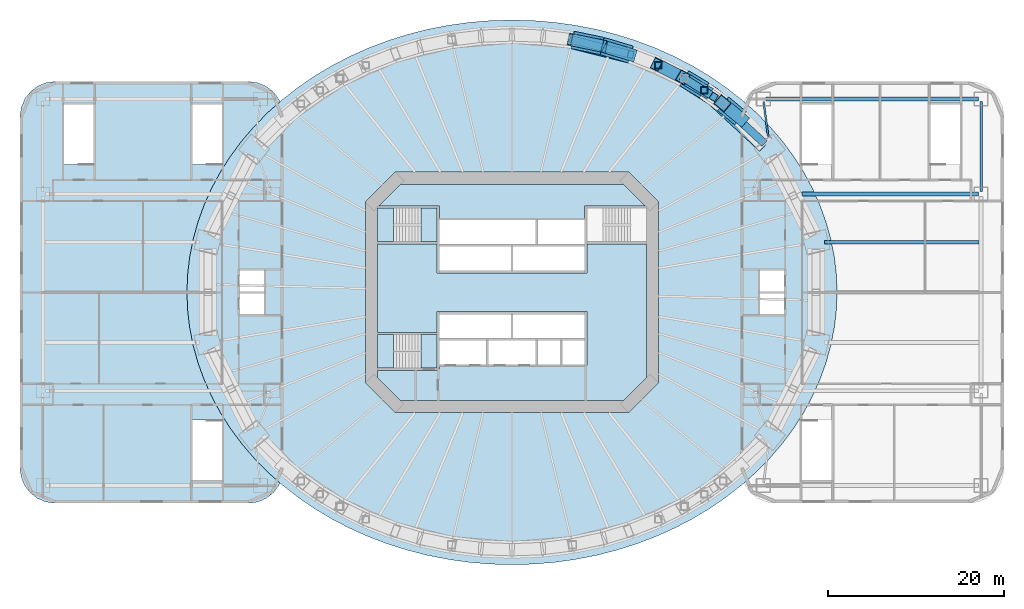
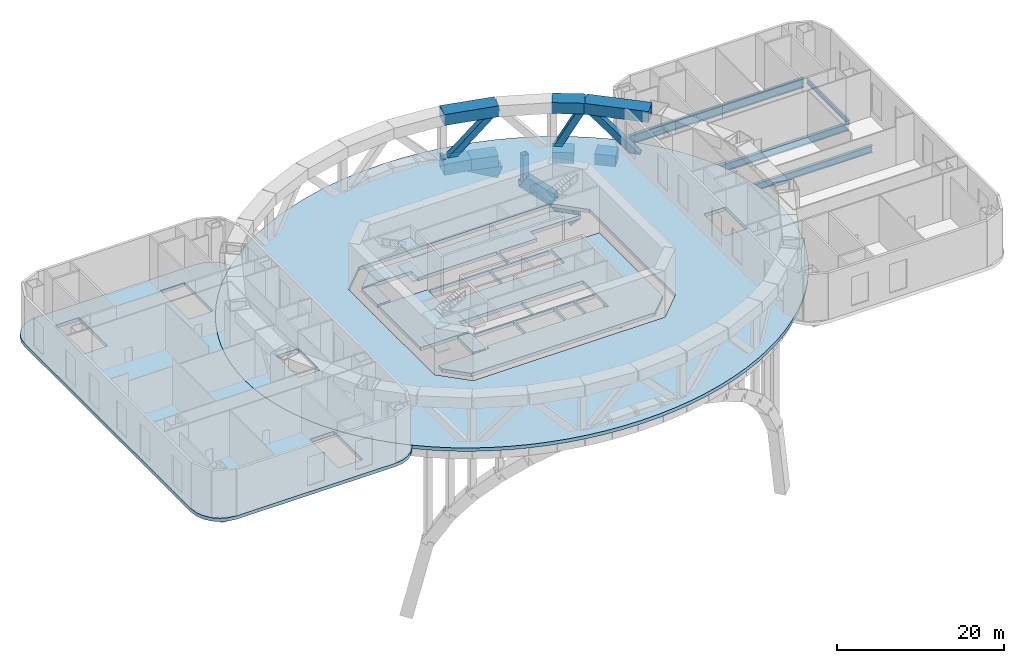
# One storey, part 5 of 13: 12 beams, 12 slabs, 10 members, 2 elements without a shape of their own.
"""IFC4 building model written with IfcOpenShell, lengths in metres."""

from ifc_helpers import new_model, si_unit, direction, frame, origin, origin_2d, place, context, subcontext, project, spatial, polyline, hollow_rectangle, i_section, outline, extrude, material, layer, layer_set, material_profile, profile_set, type_object, element, aggregate, save


model = new_model("IFC4")

# Units and contexts
model_context = context("Model", 3, precision=1e-05, world=origin(), true_north=direction((0.0, 1.0)))
body_context = subcontext(model_context, "Body", "Model", "MODEL_VIEW")
ifc_project = project(units=[si_unit("LENGTHUNIT", "METRE"), si_unit("AREAUNIT", "SQUARE_METRE"), si_unit("VOLUMEUNIT", "CUBIC_METRE"), si_unit("PLANEANGLEUNIT", "RADIAN"), si_unit("MASSUNIT", "GRAM", prefix="KILO")], contexts=[model_context])

# Site, building, storey
site_placement = place(None, origin())
site = spatial("IfcSite", under=ifc_project, at=site_placement, CompositionType="ELEMENT")
building_placement = place(site_placement, origin())
building = spatial("IfcBuilding", under=site, at=building_placement, Name="Marenthal Gate Tower", CompositionType="ELEMENT")
storey_placement = place(building_placement, frame((0.0, 0.0, 26.0)))
storey = spatial("IfcBuildingStorey", under=building, at=storey_placement, Name="L03", CompositionType="ELEMENT", Elevation=26.0)

# Beams
ifc_material_1 = material(Name="Steel S460", Category="steel")
ifc_material_profile_1 = material_profile(ifc_material_1, hollow_rectangle(XDim=2.0, YDim=1.60009765625, WallThickness=0.080078125, at=origin_2d()), Name="BOX 1600X2000X80")
ifc_profile_set_1 = profile_set([ifc_material_profile_1], Name="Steel S460")
beam_type_1 = type_object("IfcBeamType", Name="BOX 1600X2000X80 transfer chord", PredefinedType="BEAM", material=ifc_profile_set_1)
beam_1_placement = place(storey_placement, frame((26.0, 19.818115234375, -1.300048828125), z_axis=(-0.767717124374, 0.640788902013, 0.0), x_axis=(-0.640788902013, -0.767717124374, 0.0)))
element("IfcBeam", 1, at=beam_1_placement, inside=storey, type_object=beam_type_1, Name="TR-L03-02", PredefinedType="BEAM", context=body_context, shape_type="SweptSolid", body=[
    extrude(hollow_rectangle(XDim=2.0, YDim=1.60009765625, WallThickness=0.080078125, at=origin_2d()), origin(), (0.0, 0.0, 1.0), 2.581298828125),
])
beam_2_placement = place(storey_placement, frame((21.88427734375, 22.989990234375, -1.300048828125), z_axis=(-0.856085941815, 0.516833493716, 0.0), x_axis=(-0.516833493716, -0.856085941815, 0.0)))
element("IfcBeam", 2, at=beam_2_placement, inside=storey, type_object=beam_type_1, Name="TR-L03-04", PredefinedType="BEAM", context=body_context, shape_type="SweptSolid", body=[
    extrude(hollow_rectangle(XDim=2.0, YDim=1.60009765625, WallThickness=0.080078125, at=origin_2d()), origin(), (0.0, 0.0, 1.0), 2.65478515625),
])
beam_3_placement = place(storey_placement, frame((13.5087890625, 27.069580078125, -1.300048828125), z_axis=(-0.958612601044, 0.284713682705, 0.0), x_axis=(-0.284713682705, -0.958612601044, 0.0)))
element("IfcBeam", 3, at=beam_3_placement, inside=storey, type_object=beam_type_1, Name="TR-L03-07", PredefinedType="BEAM", context=body_context, shape_type="SweptSolid", body=[
    extrude(hollow_rectangle(XDim=2.0, YDim=1.60009765625, WallThickness=0.080078125, at=origin_2d()), origin(), (0.0, 0.0, 1.0), 3.402587890625),
])
beam_4_placement = place(storey_placement, frame((10.2470703125, 28.038330078125, -1.300048828125), z_axis=(-0.979058462752, 0.203579288026, 0.0), x_axis=(-0.203579288026, -0.979058462752, 0.0)))
element("IfcBeam", 4, at=beam_4_placement, inside=storey, type_object=beam_type_1, Name="TR-L03-08", PredefinedType="BEAM", context=body_context, shape_type="SweptSolid", body=[
    extrude(hollow_rectangle(XDim=2.0, YDim=1.60009765625, WallThickness=0.080078125, at=origin_2d()), origin(), (0.0, 0.0, 1.0), 3.43212890625),
])
beam_5_placement = place(storey_placement, frame((28.866943359375, 16.789306640625, 6.02001953125), z_axis=(-0.73383134461, 0.679331699295, 0.0), x_axis=(-0.679331699295, -0.73383134461, 0.0)))
element("IfcBeam", 5, at=beam_5_placement, inside=storey, type_object=beam_type_1, Name="TR-L03-21", PredefinedType="BEAM", context=body_context, shape_type="SweptSolid", body=[
    extrude(hollow_rectangle(XDim=2.0, YDim=1.60009765625, WallThickness=0.080078125, at=origin_2d()), origin(), (0.0, 0.0, 1.0), 8.03662109375),
])
beam_6_placement = place(storey_placement, frame((22.969482421875, 22.248779296875, 6.02001953125), z_axis=(-0.846341746449, 0.532640261543, 0.0), x_axis=(-0.532640261543, -0.846341746449, 0.0)))
element("IfcBeam", 6, at=beam_6_placement, inside=storey, type_object=beam_type_1, Name="TR-L03-22", PredefinedType="BEAM", context=body_context, shape_type="SweptSolid", body=[
    extrude(hollow_rectangle(XDim=2.0, YDim=1.60009765625, WallThickness=0.080078125, at=origin_2d()), origin(), (0.0, 0.0, 1.0), 3.967529296875),
])
beam_7_placement = place(storey_placement, frame((13.5087890625, 27.069580078125, 6.02001953125), z_axis=(-0.969728903085, 0.244184058696, 0.0), x_axis=(-0.244184058696, -0.969728903085, 0.0)))
element("IfcBeam", 7, at=beam_7_placement, inside=storey, type_object=beam_type_1, Name="TR-L03-24", PredefinedType="BEAM", context=body_context, shape_type="SweptSolid", body=[
    extrude(hollow_rectangle(XDim=2.0, YDim=1.60009765625, WallThickness=0.080078125, at=origin_2d()), origin(), (0.0, 0.0, 1.0), 6.828857421875),
])
ifc_material_2 = material(Name="Steel S355", Category="steel")
ifc_material_profile_2 = material_profile(ifc_material_2, i_section(OverallWidth=0.419921875, OverallDepth=1.0, WebThickness=0.02001953125, FlangeThickness=0.035888671875, at=origin_2d()), Name="PLATE GIRDER 1000X420X20X36")
ifc_profile_set_2 = profile_set([ifc_material_profile_2], Name="Steel S355")
beam_type_2 = type_object("IfcBeamType", Name="PLATE GIRDER 1000X420X20X36 beam", PredefinedType="BEAM", material=ifc_profile_set_2)
beam_8_placement = place(storey_placement, frame((35.561279296875, 5.716064453125, -1.0), z_axis=(1.0, 0.0, 0.0), x_axis=(0.0, 1.0, 0.0)))
element("IfcBeam", 8, at=beam_8_placement, inside=storey, type_object=beam_type_2, Name="BM-L03-109", PredefinedType="BEAM", context=body_context, shape_type="SweptSolid", body=[
    extrude(i_section(OverallWidth=0.419921875, OverallDepth=1.0, WebThickness=0.02001953125, FlangeThickness=0.035888671875, at=origin_2d()), origin(), (0.0, 0.0, 1.0), 17.61376953125),
])
ifc_material_3 = material(Name="Steel S355", Category="steel")
ifc_material_profile_3 = material_profile(ifc_material_3, i_section(OverallWidth=0.429931640625, OverallDepth=1.10009765625, WebThickness=0.02001953125, FlangeThickness=0.0400390625, at=origin_2d()), Name="PLATE GIRDER 1100X430X20X40")
ifc_profile_set_3 = profile_set([ifc_material_profile_3], Name="Steel S355")
beam_type_3 = type_object("IfcBeamType", Name="PLATE GIRDER 1100X430X20X40 beam", PredefinedType="BEAM", material=ifc_profile_set_3)
beam_9_placement = place(storey_placement, frame((33.002685546875, 11.199951171875, -1.050048828125), z_axis=(1.0, 0.0, 0.0), x_axis=(0.0, 1.0, 0.0)))
element("IfcBeam", 9, at=beam_9_placement, inside=storey, type_object=beam_type_3, Name="BM-L03-111", PredefinedType="BEAM", context=body_context, shape_type="SweptSolid", body=[
    extrude(i_section(OverallWidth=0.429931640625, OverallDepth=1.10009765625, WebThickness=0.02001953125, FlangeThickness=0.0400390625, at=origin_2d()), origin(), (0.0, 0.0, 1.0), 20.097412109375),
])
ifc_material_4 = material(Name="Steel S355", Category="steel")
ifc_material_profile_4 = material_profile(ifc_material_4, i_section(OverallWidth=0.4599609375, OverallDepth=1.300048828125, WebThickness=0.02490234375, FlangeThickness=0.044921875, at=origin_2d()), Name="PLATE GIRDER 1300X460X25X45")
ifc_profile_set_4 = profile_set([ifc_material_profile_4], Name="Steel S355")
beam_type_4 = type_object("IfcBeamType", Name="PLATE GIRDER 1300X460X25X45 beam", PredefinedType="BEAM", material=ifc_profile_set_4)
beam_10_placement = place(storey_placement, frame((28.89990234375, 22.0, -1.14990234375), z_axis=(1.0, 0.0, 0.0), x_axis=(0.0, 1.0, 0.0)))
element("IfcBeam", 10, at=beam_10_placement, inside=storey, type_object=beam_type_4, Name="BM-L03-112", PredefinedType="BEAM", context=body_context, shape_type="SweptSolid", body=[
    extrude(i_section(OverallWidth=0.4599609375, OverallDepth=1.300048828125, WebThickness=0.02490234375, FlangeThickness=0.044921875, at=origin_2d()), origin(), (0.0, 0.0, 1.0), 24.2001953125),
])
ifc_material_5 = material(Name="Steel S355", Category="steel")
ifc_material_profile_5 = material_profile(ifc_material_5, i_section(OverallWidth=0.202880859375, OverallDepth=0.302001953125, WebThickness=0.007568359375, FlangeThickness=0.01318359375, FilletRadius=0.0126953125, at=origin_2d()), Name="W310X60")
ifc_profile_set_5 = profile_set([ifc_material_profile_5], Name="Steel S355")
beam_type_5 = type_object("IfcBeamType", Name="W310X60 beam", PredefinedType="BEAM", material=ifc_profile_set_5)
beam_11_placement = place(storey_placement, frame((29.159423828125, 17.73681640625, -0.65087890625), z_axis=(-0.130112868393, 0.991499188844, 0.0), x_axis=(-0.991499188844, -0.130112868393, 0.0)))
element("IfcBeam", 11, at=beam_11_placement, inside=storey, type_object=beam_type_5, Name="BM-L03-114", PredefinedType="BEAM", context=body_context, shape_type="SweptSolid", body=[
    extrude(i_section(OverallWidth=0.202880859375, OverallDepth=0.302001953125, WebThickness=0.007568359375, FlangeThickness=0.01318359375, FilletRadius=0.0126953125, at=origin_2d()), origin(), (0.0, 0.0, 1.0), 3.992919921875),
])
ifc_material_6 = material(Name="Steel S355", Category="steel")
ifc_material_profile_6 = material_profile(ifc_material_6, i_section(OverallWidth=0.25390625, OverallDepth=0.68310546875, WebThickness=0.012451171875, FlangeThickness=0.018798828125, FilletRadius=0.01513671875, at=origin_2d()), Name="W690X140")
ifc_profile_set_6 = profile_set([ifc_material_profile_6], Name="Steel S355")
beam_type_6 = type_object("IfcBeamType", Name="W690X140 beam", PredefinedType="BEAM", material=ifc_profile_set_6)
beam_12_placement = place(storey_placement, frame((53.39990234375, 11.5, -0.841552734375), z_axis=(0.0, 1.0, 0.0), x_axis=(-1.0, 0.0, 0.0)))
element("IfcBeam", 12, at=beam_12_placement, inside=storey, type_object=beam_type_6, Name="BM-L03-103", PredefinedType="BEAM", context=body_context, shape_type="SweptSolid", body=[
    extrude(i_section(OverallWidth=0.25390625, OverallDepth=0.68310546875, WebThickness=0.012451171875, FlangeThickness=0.018798828125, FilletRadius=0.01513671875, at=origin_2d()), origin(), (0.0, 0.0, 1.0), 10.199951171875),
])

# Members
ifc_material_7 = material(Name="Steel S355", Category="steel")
ifc_material_profile_7 = material_profile(ifc_material_7, hollow_rectangle(XDim=1.39990234375, YDim=1.60009765625, WallThickness=0.080078125, at=origin_2d()), Name="BOX 1600X1400X80")
ifc_profile_set_7 = profile_set([ifc_material_profile_7], Name="Steel S355")
member_type_1 = type_object("IfcMemberType", Name="arch rib BOX 1600X1400X80", PredefinedType="MEMBER", material=ifc_profile_set_7)
member_1_placement = place(storey_placement, frame((26.0, 19.818115234375, -26.0), z_axis=(-0.173504810862, 0.144823403352, 0.974126409892), x_axis=(-0.640800619675, -0.767707343865, 0.0)))
element("IfcMember", 13, at=member_1_placement, inside=storey, type_object=member_type_1, Name="AR-N-L03-31", PredefinedType="MEMBER", context=body_context, shape_type="SweptSolid", body=[
    extrude(hollow_rectangle(XDim=1.39990234375, YDim=1.60009765625, WallThickness=0.080078125, at=origin_2d()), origin(), (0.0, 0.0, 1.0), 11.72119140625),
])
member_2_placement = place(storey_placement, frame((22.056396484375, 22.885986328125, -10.89111328125), z_axis=(-0.573779649297, 0.346441075684, 0.742129028627), x_axis=(-0.516877933395, -0.856059111259, 0.0)))
element("IfcMember", 14, at=member_2_placement, inside=storey, type_object=member_type_1, Name="AR-N-L03-33", PredefinedType="MEMBER", context=body_context, shape_type="SweptSolid", body=[
    extrude(hollow_rectangle(XDim=1.39990234375, YDim=1.60009765625, WallThickness=0.080078125, at=origin_2d()), origin(), (0.0, 0.0, 1.0), 4.560791015625),
])
member_3_placement = place(storey_placement, frame((19.821044921875, 24.2578125, -7.9169921875), z_axis=(-0.697924026477, 0.347253139776, 0.626352384989), x_axis=(-0.445459010991, -0.895302334146, 0.0)))
element("IfcMember", 15, at=member_3_placement, inside=storey, type_object=member_type_1, Name="AR-N-L03-34", PredefinedType="MEMBER", context=body_context, shape_type="SweptSolid", body=[
    extrude(hollow_rectangle(XDim=1.39990234375, YDim=1.60009765625, WallThickness=0.080078125, at=origin_2d()), origin(), (0.0, 0.0, 1.0), 4.857421875),
])
member_4_placement = place(storey_placement, frame((13.7744140625, 26.99072265625, -3.225341796875), z_axis=(-0.885621115862, 0.26300159803, 0.382760236404), x_axis=(-0.284680682344, -0.958622401731, 0.0)))
element("IfcMember", 16, at=member_4_placement, inside=storey, type_object=member_type_1, Name="AR-N-L03-36", PredefinedType="MEMBER", context=body_context, shape_type="SweptSolid", body=[
    extrude(hollow_rectangle(XDim=1.39990234375, YDim=1.60009765625, WallThickness=0.080078125, at=origin_2d()), origin(), (0.0, 0.0, 1.0), 4.283203125),
])
member_5_placement = place(storey_placement, frame((10.52978515625, 27.9794921875, -1.781494140625), z_axis=(-0.942929594761, 0.196079632167, 0.269140404201), x_axis=(-0.203591982603, -0.979055823036, 0.0)))
element("IfcMember", 17, at=member_5_placement, inside=storey, type_object=member_type_1, Name="AR-N-L03-37", PredefinedType="MEMBER", context=body_context, shape_type="SweptSolid", body=[
    extrude(hollow_rectangle(XDim=1.39990234375, YDim=1.60009765625, WallThickness=0.080078125, at=origin_2d()), origin(), (0.0, 0.0, 1.0), 4.16357421875),
])
ifc_material_8 = material(Name="Steel S355", Category="steel")
ifc_material_profile_8 = material_profile(ifc_material_8, hollow_rectangle(XDim=0.800048828125, YDim=0.800048828125, WallThickness=0.044921875, at=origin_2d()), Name="BOX 800X800X45")
ifc_profile_set_8 = profile_set([ifc_material_profile_8], Name="Steel S355")
member_type_2 = type_object("IfcMemberType", Name="arch strut BOX 800X800X45", PredefinedType="POST", material=ifc_profile_set_8)
member_6_placement = place(storey_placement, frame((21.88427734375, 22.989990234375, -10.818359375), z_axis=(0.0, 0.0, 1.0), x_axis=(1.0, 0.0, 0.0)))
element("IfcMember", 18, at=member_6_placement, inside=storey, type_object=member_type_2, Name="AS-N-L03-50", PredefinedType="POST", context=body_context, shape_type="SweptSolid", body=[
    extrude(hollow_rectangle(XDim=0.800048828125, YDim=0.800048828125, WallThickness=0.044921875, at=origin_2d()), origin(), (0.0, 0.0, 1.0), 9.66845703125),
])
member_7_placement = place(storey_placement, frame((16.640380859375, 25.84033203125, -5.21240234375), z_axis=(0.0, 0.0, 1.0), x_axis=(1.0, 0.0, 0.0)))
element("IfcMember", 19, at=member_7_placement, inside=storey, type_object=member_type_2, Name="AS-N-L03-53", PredefinedType="POST", context=body_context, shape_type="SweptSolid", body=[
    extrude(hollow_rectangle(XDim=0.800048828125, YDim=0.800048828125, WallThickness=0.044921875, at=origin_2d()), origin(), (0.0, 0.0, 1.0), 4.0625),
])
ifc_material_9 = material(Name="Steel S355", Category="steel")
ifc_material_profile_9 = material_profile(ifc_material_9, hollow_rectangle(XDim=0.89990234375, YDim=0.89990234375, WallThickness=0.050048828125, at=origin_2d()), Name="BOX 900X900X50")
ifc_profile_set_9 = profile_set([ifc_material_profile_9], Name="Steel S355")
member_type_3 = type_object("IfcMemberType", Name="transfer truss diagonal BOX 900X900X50", PredefinedType="BRACE", material=ifc_profile_set_9)
member_8_placement = place(storey_placement, frame((28.523193359375, 17.152587890625, -1.300048828125), z_axis=(-0.528569539809, 0.485025521979, 0.696681049415), x_axis=(-0.676105882834, -0.736804475554, 0.0)))
element("IfcMember", 20, at=member_8_placement, inside=storey, type_object=member_type_3, Name="TR-L03-61", PredefinedType="BRACE", context=body_context, shape_type="SweptSolid", body=[
    extrude(hollow_rectangle(XDim=0.89990234375, YDim=0.89990234375, WallThickness=0.050048828125, at=origin_2d()), origin(), (0.0, 0.0, 1.0), 10.507080078125),
])
member_9_placement = place(storey_placement, frame((22.969482421875, 22.248779296875, 6.02001953125), z_axis=(-0.403296438229, 0.253812270562, -0.879165123412), x_axis=(-0.532640261543, -0.846341746449, 0.0)))
element("IfcMember", 21, at=member_9_placement, inside=storey, type_object=member_type_3, Name="TR-L03-62", PredefinedType="BRACE", context=body_context, shape_type="SweptSolid", body=[
    extrude(hollow_rectangle(XDim=0.89990234375, YDim=0.89990234375, WallThickness=0.050048828125, at=origin_2d()), origin(), (0.0, 0.0, 1.0), 8.326171875),
])
member_10_placement = place(storey_placement, frame((13.5087890625, 27.069580078125, 6.02001953125), z_axis=(-0.661493970766, 0.166568493597, -0.73121861545), x_axis=(-0.244184058696, -0.969728903085, 0.0)))
element("IfcMember", 22, at=member_10_placement, inside=storey, type_object=member_type_3, Name="TR-L03-64", PredefinedType="BRACE", context=body_context, shape_type="SweptSolid", body=[
    extrude(hollow_rectangle(XDim=0.89990234375, YDim=0.89990234375, WallThickness=0.050048828125, at=origin_2d()), origin(), (0.0, 0.0, 1.0), 10.0107421875),
])

# Slabs
ifc_material_10 = material(Name="Concrete 50 MPa", Category="concrete")
ifc_layer_1 = layer(ifc_material_10, 0.5)
ifc_layer_set_1 = layer_set([ifc_layer_1], Name="Core floor slab 500")
slab_type_1 = type_object("IfcSlabType", Name="Core floor slab 500", PredefinedType="FLOOR", material=ifc_layer_set_1)
slab_1_placement = place(storey_placement, frame((0.0, 0.0, -0.5)))
element("IfcSlab", 23, at=slab_1_placement, inside=storey, type_object=slab_type_1, Name="Core floor L03", PredefinedType="FLOOR", context=body_context, shape_type="SweptSolid", body=[
    extrude(outline(polyline([(15.300048828125, -9.710205078125), (12.710205078125, -12.300048828125), (-12.710205078125, -12.300048828125), (-15.300048828125, -9.710205078125), (-15.300048828125, -8.875), (-8.550048828125, -8.875), (-8.550048828125, -8.75), (-8.25, -8.75), (-8.25, -8.239990234375), (-5.60009765625, -8.239990234375), (-2.909912109375, -8.239990234375), (-2.909912109375, -5.4599609375), (-5.60009765625, -5.4599609375), (-8.25, -5.4599609375), (-8.25, -5.239990234375), (-5.60009765625, -5.239990234375), (-2.800048828125, -5.239990234375), (-0.110107421875, -5.239990234375), (-0.110107421875, -2.5), (0.110107421875, -2.5), (0.110107421875, -5.239990234375), (2.800048828125, -5.239990234375), (5.60009765625, -5.239990234375), (8.25, -5.239990234375), (8.25, -5.4599609375), (5.7099609375, -5.4599609375), (5.7099609375, -8.239990234375), (8.25, -8.239990234375), (8.25, -8.35009765625), (8.550048828125, -8.35009765625), (8.550048828125, -2.199951171875), (8.25, -2.199951171875), (-8.25, -2.199951171875), (-8.550048828125, -2.199951171875), (-8.550048828125, -4.574951171875), (-15.300048828125, -4.574951171875), (-15.300048828125, 5.52490234375), (-8.550048828125, 5.52490234375), (-8.550048828125, 2.199951171875), (-8.25, 2.199951171875), (8.25, 2.199951171875), (8.550048828125, 2.199951171875), (8.550048828125, 5.52490234375), (15.300048828125, 5.52490234375), (15.300048828125, -9.710205078125)]), holes=[polyline([(2.909912109375, -8.239990234375), (5.489990234375, -8.239990234375), (5.489990234375, -5.4599609375), (2.909912109375, -5.4599609375), (2.909912109375, -8.239990234375)]), polyline([(-2.68994140625, -5.4599609375), (-2.68994140625, -8.239990234375), (0.0, -8.239990234375), (2.68994140625, -8.239990234375), (2.68994140625, -5.4599609375), (0.0, -5.4599609375), (-2.68994140625, -5.4599609375)])]), origin(), (0.0, 0.0, 1.0), 0.5),
])
slab_2_placement = place(storey_placement, frame((0.0, 0.0, -0.5)))
element("IfcSlab", 24, at=slab_2_placement, inside=storey, type_object=slab_type_1, Name="Core floor L03", PredefinedType="FLOOR", context=body_context, shape_type="SweptSolid", body=[
    extrude(outline(polyline([(12.710205078125, 12.300048828125), (15.18505859375, 9.824951171875), (8.550048828125, 9.824951171875), (8.25, 9.824951171875), (8.25, 8.35009765625), (8.25, 8.239990234375), (5.60009765625, 8.239990234375), (2.909912109375, 8.239990234375), (2.909912109375, 5.4599609375), (5.60009765625, 5.4599609375), (8.25, 5.4599609375), (8.25, 5.239990234375), (5.60009765625, 5.239990234375), (2.800048828125, 5.239990234375), (0.110107421875, 5.239990234375), (0.110107421875, 2.5), (-0.110107421875, 2.5), (-0.110107421875, 5.239990234375), (-2.800048828125, 5.239990234375), (-5.60009765625, 5.239990234375), (-8.25, 5.239990234375), (-8.25, 5.4599609375), (-5.60009765625, 5.4599609375), (-2.800048828125, 5.4599609375), (0.0, 5.4599609375), (2.68994140625, 5.4599609375), (2.68994140625, 8.239990234375), (0.0, 8.239990234375), (-2.800048828125, 8.239990234375), (-5.60009765625, 8.239990234375), (-8.25, 8.239990234375), (-8.25, 8.35009765625), (-8.25, 9.824951171875), (-8.550048828125, 9.824951171875), (-15.18505859375, 9.824951171875), (-12.710205078125, 12.300048828125), (12.710205078125, 12.300048828125)])), origin(), (0.0, 0.0, 1.0), 0.5),
])
slab_3_placement = place(storey_placement, frame((0.0, 0.0, -0.5)))
element("IfcSlab", 25, at=slab_3_placement, inside=storey, type_object=slab_type_1, Name="Core floor L03", PredefinedType="FLOOR", context=body_context, shape_type="SweptSolid", body=[
    extrude(outline(polyline([(-15.300048828125, 9.574951171875), (-13.5, 9.574951171875), (-13.5, 5.77490234375), (-15.300048828125, 5.77490234375), (-15.300048828125, 9.574951171875)])), origin(), (0.0, 0.0, 1.0), 0.5),
])
slab_4_placement = place(storey_placement, frame((0.0, 0.0, -0.5)))
element("IfcSlab", 26, at=slab_4_placement, inside=storey, type_object=slab_type_1, Name="Core floor L03", PredefinedType="FLOOR", context=body_context, shape_type="SweptSolid", body=[
    extrude(outline(polyline([(-10.35009765625, -8.625), (-10.35009765625, -4.824951171875), (-8.550048828125, -4.824951171875), (-8.550048828125, -8.625), (-10.35009765625, -8.625)])), origin(), (0.0, 0.0, 1.0), 0.5),
])

# Stair, slabs
ifc_material_11 = material(Name="Concrete 40 MPa", Category="concrete")
stair_type = type_object("IfcStairType", Name="Exit stair 1800", PredefinedType="HALF_TURN_STAIR", material=ifc_material_11)
stair_1_placement = place(storey_placement, origin())
stair_1 = element("IfcStair", 27, at=stair_1_placement, inside=storey, type_object=stair_type, Name="Stair ST1", PredefinedType="HALF_TURN_STAIR")
ifc_material_12 = material(Name="Concrete 40 MPa", Category="concrete")
ifc_layer_2 = layer(ifc_material_12, 0.199951171875)
ifc_layer_set_2 = layer_set([ifc_layer_2], Name="Stair landing 200")
slab_type_2 = type_object("IfcSlabType", Name="Stair landing 200", PredefinedType="LANDING", material=ifc_layer_set_2)
slab_5_placement = place(storey_placement, frame((0.0, 0.0, 1.550048828125)))
slab_5 = element("IfcSlab", 28, at=slab_5_placement, type_object=slab_type_2, Name="ST1 landing 1", PredefinedType="LANDING", context=body_context, shape_type="SweptSolid", body=[
    extrude(outline(polyline([(-10.35009765625, 5.77490234375), (-8.550048828125, 5.77490234375), (-8.550048828125, 9.574951171875), (-10.35009765625, 9.574951171875), (-10.35009765625, 5.77490234375)])), origin(), (0.0, 0.0, 1.0), 0.199951171875),
])
slab_6_placement = place(storey_placement, frame((0.0, 0.0, 3.300048828125)))
slab_6 = element("IfcSlab", 29, at=slab_6_placement, type_object=slab_type_2, Name="ST1 landing 2", PredefinedType="LANDING", context=body_context, shape_type="SweptSolid", body=[
    extrude(outline(polyline([(-15.300048828125, 5.77490234375), (-13.5, 5.77490234375), (-13.5, 9.574951171875), (-15.300048828125, 9.574951171875), (-15.300048828125, 5.77490234375)])), origin(), (0.0, 0.0, 1.0), 0.199951171875),
])
slab_7_placement = place(storey_placement, frame((0.0, 0.0, 5.050048828125)))
slab_7 = element("IfcSlab", 30, at=slab_7_placement, type_object=slab_type_2, Name="ST1 landing 3", PredefinedType="LANDING", context=body_context, shape_type="SweptSolid", body=[
    extrude(outline(polyline([(-10.35009765625, 5.77490234375), (-8.550048828125, 5.77490234375), (-8.550048828125, 9.574951171875), (-10.35009765625, 9.574951171875), (-10.35009765625, 5.77490234375)])), origin(), (0.0, 0.0, 1.0), 0.199951171875),
])
aggregate(stair_1, [slab_5, slab_6, slab_7])

stair_2_placement = place(storey_placement, origin())
stair_2 = element("IfcStair", 31, at=stair_2_placement, inside=storey, type_object=stair_type, Name="Stair ST2", PredefinedType="HALF_TURN_STAIR")
slab_8_placement = place(storey_placement, frame((0.0, 0.0, 1.550048828125)))
slab_8 = element("IfcSlab", 32, at=slab_8_placement, type_object=slab_type_2, Name="ST2 landing 1", PredefinedType="LANDING", context=body_context, shape_type="SweptSolid", body=[
    extrude(outline(polyline([(-15.300048828125, -8.625), (-13.5, -8.625), (-13.5, -4.824951171875), (-15.300048828125, -4.824951171875), (-15.300048828125, -8.625)])), origin(), (0.0, 0.0, 1.0), 0.199951171875),
])
slab_9_placement = place(storey_placement, frame((0.0, 0.0, 3.300048828125)))
slab_9 = element("IfcSlab", 33, at=slab_9_placement, type_object=slab_type_2, Name="ST2 landing 2", PredefinedType="LANDING", context=body_context, shape_type="SweptSolid", body=[
    extrude(outline(polyline([(-10.35009765625, -8.625), (-8.550048828125, -8.625), (-8.550048828125, -4.824951171875), (-10.35009765625, -4.824951171875), (-10.35009765625, -8.625)])), origin(), (0.0, 0.0, 1.0), 0.199951171875),
])
slab_10_placement = place(storey_placement, frame((0.0, 0.0, 5.050048828125)))
slab_10 = element("IfcSlab", 34, at=slab_10_placement, type_object=slab_type_2, Name="ST2 landing 3", PredefinedType="LANDING", context=body_context, shape_type="SweptSolid", body=[
    extrude(outline(polyline([(-15.300048828125, -8.625), (-13.5, -8.625), (-13.5, -4.824951171875), (-15.300048828125, -4.824951171875), (-15.300048828125, -8.625)])), origin(), (0.0, 0.0, 1.0), 0.199951171875),
])
aggregate(stair_2, [slab_8, slab_9, slab_10])

# Slabs
ifc_material_13 = material(Name="Concrete 35 MPa", Category="concrete")
ifc_layer_3 = layer(ifc_material_13, 0.5)
ifc_layer_set_3 = layer_set([ifc_layer_3], Name="TRANSFER FLOOR 500")
slab_type_3 = type_object("IfcSlabType", Name="TRANSFER FLOOR 500", PredefinedType="FLOOR", material=ifc_layer_set_3)
slab_11_placement = place(storey_placement, frame((0.0, 0.0, -0.5)))
element("IfcSlab", 35, at=slab_11_placement, inside=storey, type_object=slab_type_3, Name="SL-L03-12", PredefinedType="FLOOR", context=body_context, shape_type="SweptSolid", body=[
    extrude(outline(polyline([(-28.0, -23.464111328125), (-28.964599609375, -23.86376953125), (-30.0, -24.0), (-52.0, -24.0), (-53.035400390625, -23.86376953125), (-54.0, -23.464111328125), (-54.828369140625, -22.828369140625), (-55.464111328125, -22.0), (-55.86376953125, -21.035400390625), (-56.0, -20.0), (-56.0, 20.0), (-55.86376953125, 21.035400390625), (-55.464111328125, 22.0), (-54.828369140625, 22.828369140625), (-54.0, 23.464111328125), (-53.035400390625, 23.86376953125), (-52.0, 24.0), (-30.0, 24.0), (-28.964599609375, 23.86376953125), (-28.0, 23.464111328125), (-27.171630859375, 22.828369140625), (-26.535888671875, 22.0), (-26.410888671875, 21.698486328125), (-27.818115234375, 20.439697265625), (-29.35400390625, 18.87158203125), (-30.764404296875, 17.22265625), (-32.04296875, 15.5), (-33.184326171875, 13.7109375), (-34.18359375, 11.86328125), (-35.036376953125, 9.964599609375), (-35.7392578125, 8.0234375), (-36.2890625, 6.0478515625), (-36.68359375, 4.04638671875), (-36.9208984375, 2.027587890625), (-37.0, 0.0), (-36.9208984375, -2.027587890625), (-36.68359375, -4.04638671875), (-36.2890625, -6.0478515625), (-35.7392578125, -8.0234375), (-35.036376953125, -9.964599609375), (-34.18359375, -11.86328125), (-33.184326171875, -13.7109375), (-32.04296875, -15.5), (-30.764404296875, -17.22265625), (-29.35400390625, -18.87158203125), (-27.818115234375, -20.439697265625), (-26.410888671875, -21.698486328125), (-26.535888671875, -22.0), (-27.171630859375, -22.828369140625), (-28.0, -23.464111328125)]), holes=[polyline([(-36.375, -14.529052734375), (-36.375, -21.37109375), (-33.02490234375, -21.37109375), (-33.02490234375, -14.529052734375), (-36.375, -14.529052734375)]), polyline([(-50.97509765625, 21.37109375), (-50.97509765625, 14.529052734375), (-47.625, 14.529052734375), (-47.625, 21.37109375), (-50.97509765625, 21.37109375)]), polyline([(-36.375, 21.37109375), (-36.375, 14.529052734375), (-33.02490234375, 14.529052734375), (-33.02490234375, 21.37109375), (-36.375, 21.37109375)])]), origin(), (0.0, 0.0, 1.0), 0.5),
])
ifc_material_14 = material(Name="Concrete 35 MPa", Category="concrete")
ifc_layer_4 = layer(ifc_material_14, 0.5)
ifc_layer_set_4 = layer_set([ifc_layer_4], Name="Transfer floor slab 500")
slab_type_4 = type_object("IfcSlabType", Name="Transfer floor slab 500", PredefinedType="FLOOR", material=ifc_layer_set_4)
slab_12_placement = place(storey_placement, frame((0.0, 0.0, -0.5)))
element("IfcSlab", 36, at=slab_12_placement, inside=storey, type_object=slab_type_4, Name="SL-L03-01", PredefinedType="FLOOR", context=body_context, shape_type="SweptSolid", body=[
    extrude(outline(polyline([(36.9208984375, -2.027587890625), (36.68359375, -4.04638671875), (36.2890625, -6.0478515625), (35.7392578125, -8.0234375), (35.036376953125, -9.964599609375), (34.18359375, -11.86328125), (33.184326171875, -13.7109375), (32.04296875, -15.5), (30.764404296875, -17.22265625), (29.35400390625, -18.87158203125), (27.818115234375, -20.439697265625), (26.1630859375, -21.92041015625), (24.395751953125, -23.306884765625), (22.524169921875, -24.593994140625), (20.55615234375, -25.775634765625), (18.5, -26.8466796875), (16.36474609375, -27.802978515625), (14.1591796875, -28.640380859375), (11.893310546875, -29.354736328125), (9.576416015625, -29.943603515625), (7.21826171875, -30.404296875), (4.82958984375, -30.73486328125), (2.419921875, -30.93359375), (0.0, -31.0), (-2.419921875, -30.93359375), (-4.82958984375, -30.73486328125), (-7.21826171875, -30.404296875), (-9.576416015625, -29.943603515625), (-11.893310546875, -29.354736328125), (-14.1591796875, -28.640380859375), (-16.36474609375, -27.802978515625), (-18.5, -26.8466796875), (-20.55615234375, -25.775634765625), (-22.524169921875, -24.593994140625), (-24.395751953125, -23.306884765625), (-26.1630859375, -21.92041015625), (-27.818115234375, -20.439697265625), (-29.35400390625, -18.87158203125), (-30.764404296875, -17.22265625), (-32.04296875, -15.5), (-33.184326171875, -13.7109375), (-34.18359375, -11.86328125), (-35.036376953125, -9.964599609375), (-35.7392578125, -8.0234375), (-36.2890625, -6.0478515625), (-36.68359375, -4.04638671875), (-36.9208984375, -2.027587890625), (-37.0, 0.0), (-36.9208984375, 2.027587890625), (-36.68359375, 4.04638671875), (-36.2890625, 6.0478515625), (-35.7392578125, 8.0234375), (-35.036376953125, 9.964599609375), (-34.18359375, 11.86328125), (-33.184326171875, 13.7109375), (-32.04296875, 15.5), (-30.764404296875, 17.22265625), (-29.35400390625, 18.87158203125), (-27.818115234375, 20.439697265625), (-26.1630859375, 21.92041015625), (-24.395751953125, 23.306884765625), (-22.524169921875, 24.593994140625), (-20.55615234375, 25.775634765625), (-18.5, 26.8466796875), (-16.36474609375, 27.802978515625), (-14.1591796875, 28.640380859375), (-11.893310546875, 29.354736328125), (-9.576416015625, 29.943603515625), (-7.21826171875, 30.404296875), (-4.82958984375, 30.73486328125), (-2.419921875, 30.93359375), (0.0, 31.0), (2.419921875, 30.93359375), (4.82958984375, 30.73486328125), (7.21826171875, 30.404296875), (9.576416015625, 29.943603515625), (11.893310546875, 29.354736328125), (14.1591796875, 28.640380859375), (16.36474609375, 27.802978515625), (18.5, 26.8466796875), (20.55615234375, 25.775634765625), (22.524169921875, 24.593994140625), (24.395751953125, 23.306884765625), (26.1630859375, 21.92041015625), (27.818115234375, 20.439697265625), (29.35400390625, 18.87158203125), (30.764404296875, 17.22265625), (32.04296875, 15.5), (33.184326171875, 13.7109375), (34.18359375, 11.86328125), (35.036376953125, 9.964599609375), (35.7392578125, 8.0234375), (36.2890625, 6.0478515625), (36.68359375, 4.04638671875), (36.9208984375, 2.027587890625), (37.0, 0.0), (36.9208984375, -2.027587890625)]), holes=[polyline([(16.699951171875, -10.289794921875), (16.699951171875, 10.289794921875), (13.289794921875, 13.699951171875), (-13.289794921875, 13.699951171875), (-16.699951171875, 10.289794921875), (-16.699951171875, -10.289794921875), (-13.289794921875, -13.699951171875), (13.289794921875, -13.699951171875), (16.699951171875, -10.289794921875)]), polyline([(-31.10009765625, 2.60009765625), (-31.10009765625, -2.60009765625), (-28.10009765625, -2.60009765625), (-28.10009765625, 2.60009765625), (-31.10009765625, 2.60009765625)]), polyline([(28.10009765625, 2.60009765625), (28.10009765625, -2.60009765625), (31.10009765625, -2.60009765625), (31.10009765625, 2.60009765625), (28.10009765625, 2.60009765625)])]), origin(), (0.0, 0.0, 1.0), 0.5),
])

save(model, "model.ifc")
